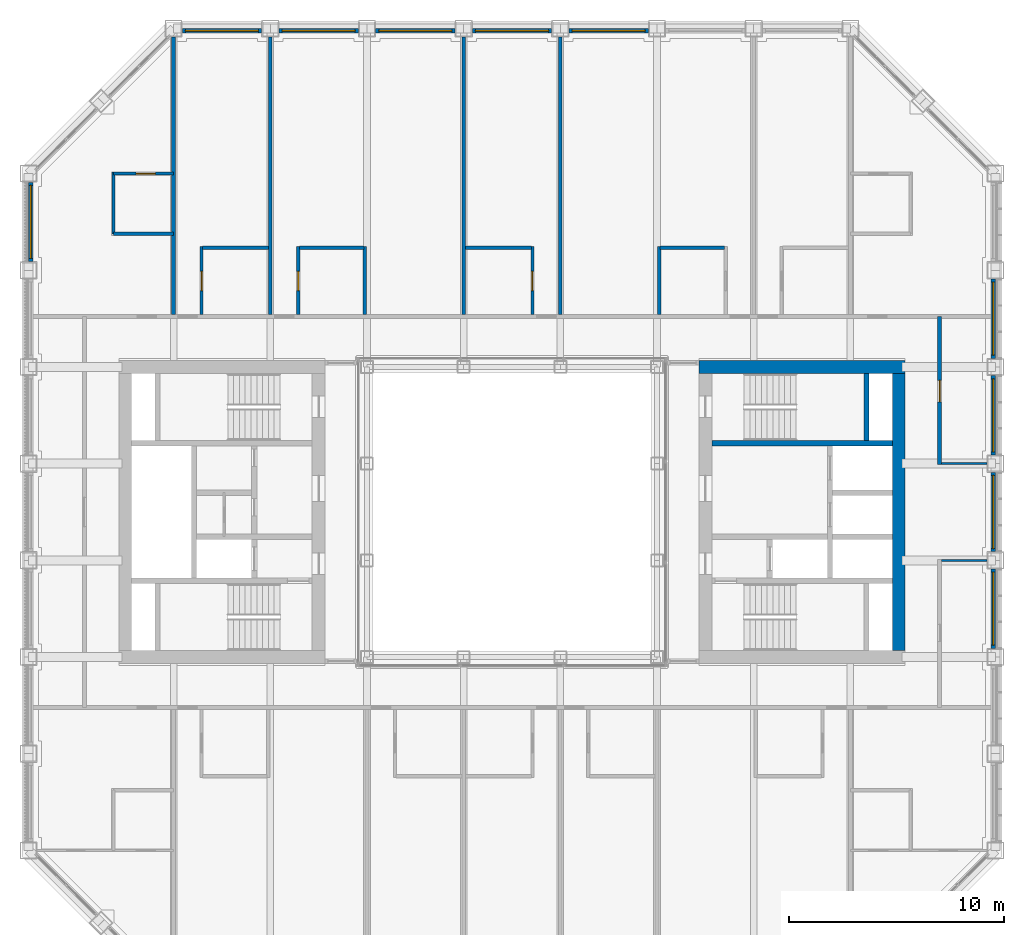
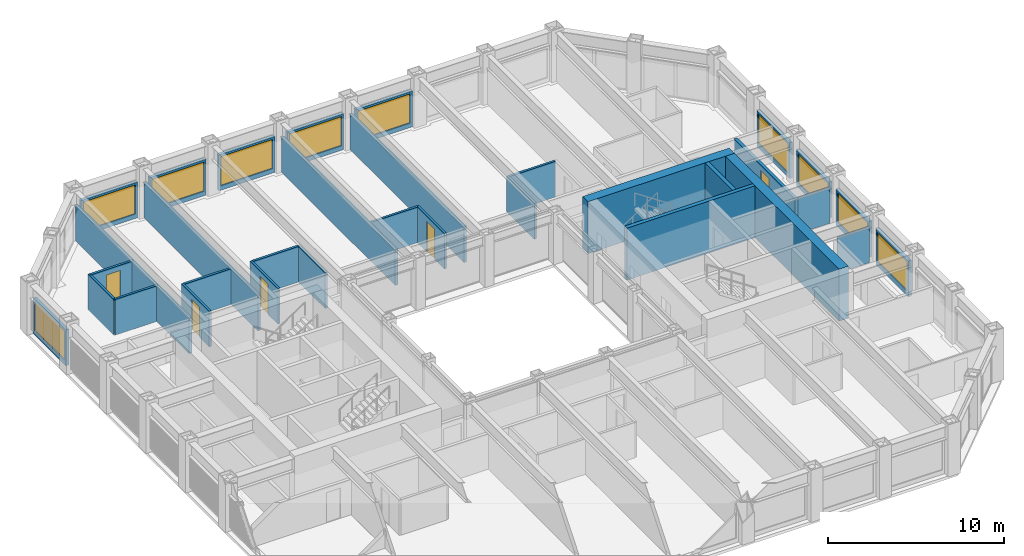
# One storey, part 13 of 17: 33 walls, 10 windows, 5 doors, 15 openings.
"""IFC4 building model written with IfcOpenShell, lengths in metres."""

from ifc_helpers import new_model, si_unit, direction, frame, frame_2d, origin, place, context, subcontext, project, spatial, rectangle, extrude, material, layer, layer_set, type_object, element, fill, save


model = new_model("IFC4")

# Units and contexts
model_context = context("Model", 3, precision=1e-05, world=origin(), true_north=direction((0.0, 1.0)))
body_context = subcontext(model_context, "Body", "Model", "MODEL_VIEW")
ifc_project = project(units=[si_unit("LENGTHUNIT", "METRE"), si_unit("AREAUNIT", "SQUARE_METRE"), si_unit("VOLUMEUNIT", "CUBIC_METRE"), si_unit("PLANEANGLEUNIT", "RADIAN"), si_unit("MASSUNIT", "GRAM", prefix="KILO")], contexts=[model_context])

# Site, building, storey
site_placement = place(None, origin())
site = spatial("IfcSite", under=ifc_project, at=site_placement, CompositionType="ELEMENT")
building_placement = place(site_placement, origin())
building = spatial("IfcBuilding", under=site, at=building_placement, Name="Msasa Ring Tower", CompositionType="ELEMENT")
storey_placement = place(building_placement, frame((0.0, 0.0, 150.800048828125)))
storey = spatial("IfcBuildingStorey", under=building, at=storey_placement, Name="L39", CompositionType="ELEMENT", Elevation=150.800048828125)

# Walls
ifc_material_1 = material(Name="Concrete C60/75", Category="concrete")
ifc_layer_1 = layer(ifc_material_1, 0.60009765625)
ifc_layer_set_1 = layer_set([ifc_layer_1], Name="CW2 CORE WALL 600")
wall_type_1 = type_object("IfcWallType", Name="CW2 CORE WALL 600", PredefinedType="SHEAR", material=ifc_layer_set_1)
wall_1_placement = place(storey_placement, frame((8.699951171875, 6.75, 0.0), z_axis=(0.0, 0.0, 1.0), x_axis=(1.0, 0.0, 0.0)))
element("IfcWall", 1, at=wall_1_placement, inside=storey, type_object=wall_type_1, Name="E core wall N L39", PredefinedType="SHEAR", context=body_context, shape_type="SweptSolid", body=[
    extrude(rectangle(XDim=9.60009765625, YDim=0.60009765625, at=frame_2d((4.800048828125, 0.0))), origin(), (0.0, 0.0, 1.0), 3.599853515625),
])
wall_2_placement = place(storey_placement, frame((18.0, -6.449951171875, 0.0), z_axis=(0.0, 0.0, 1.0), x_axis=(0.0, 1.0, 0.0)))
element("IfcWall", 2, at=wall_2_placement, inside=storey, type_object=wall_type_1, Name="E core wall E L39", PredefinedType="SHEAR", context=body_context, shape_type="SweptSolid", body=[
    extrude(rectangle(XDim=12.89990234375, YDim=0.60009765625, at=frame_2d((6.449951171875, 0.0))), origin(), (0.0, 0.0, 1.0), 3.599853515625),
])
ifc_material_2 = material(Name="Concrete C60/75", Category="concrete")
ifc_layer_2 = layer(ifc_material_2, 0.25)
ifc_layer_set_2 = layer_set([ifc_layer_2], Name="CW4 CORE INNER WALL 250")
wall_type_2 = type_object("IfcWallType", Name="CW4 CORE INNER WALL 250", PredefinedType="SHEAR", material=ifc_layer_set_2)
wall_3_placement = place(storey_placement, frame((9.300048828125, 3.199951171875, 0.0), z_axis=(0.0, 0.0, 1.0), x_axis=(1.0, 0.0, 0.0)))
element("IfcWall", 3, at=wall_3_placement, inside=storey, type_object=wall_type_2, Name="E core wall STAIRB L39", PredefinedType="SHEAR", context=body_context, shape_type="SweptSolid", body=[
    extrude(rectangle(XDim=8.39990234375, YDim=0.25, at=frame_2d((4.199951171875, 0.0))), origin(), (0.0, 0.0, 1.0), 3.599853515625),
])
wall_4_placement = place(storey_placement, frame((16.5, 3.324951171875, 0.0), z_axis=(0.0, 0.0, 1.0), x_axis=(0.0, 1.0, 0.0)))
element("IfcWall", 4, at=wall_4_placement, inside=storey, type_object=wall_type_2, Name="E core wall RISERB L39", PredefinedType="SHEAR", context=body_context, shape_type="SweptSolid", body=[
    extrude(rectangle(XDim=3.125, YDim=0.25, at=frame_2d((1.5625, 0.0))), origin(), (0.0, 0.0, 1.0), 3.599853515625),
])

# Wall, opening, window
ifc_material_3 = material(Name="Terracotta rainscreen on blockwork", Category="masonry")
ifc_layer_3 = layer(ifc_material_3, 0.199951171875)
ifc_layer_set_3 = layer_set([ifc_layer_3], Name="FW1 TERRACOTTA-LINED INFILL BAY WALL 200")
wall_type_3 = type_object("IfcWallType", Name="FW1 TERRACOTTA-LINED INFILL BAY WALL 200", PredefinedType="SOLIDWALL", material=ifc_layer_set_3)
wall_5_placement = place(storey_placement, frame((22.39990234375, -6.344970703125, 0.0), z_axis=(0.0, 0.0, 1.0), x_axis=(0.0, 1.0, 0.0)))
wall_5 = element("IfcWall", 5, at=wall_5_placement, inside=storey, type_object=wall_type_3, Name="Infill bay wall E L39 11", PredefinedType="SOLIDWALL", context=body_context, shape_type="SweptSolid", body=[
    extrude(rectangle(XDim=3.68994140625, YDim=0.199951171875, at=frame_2d((1.844970703125, 0.0))), origin(), (0.0, 0.0, 1.0), 2.47900390625),
])
opening_1_placement = place(wall_5_placement, frame((0.14501953125, 0.0, 0.300048828125)))
opening_1 = element("IfcOpeningElement", 6, at=opening_1_placement, cuts=wall_5, Name="Opening WN2", PredefinedType="OPENING", context=body_context, shape_type="SweptSolid", body=[
    extrude(rectangle(XDim=3.39990234375, YDim=2.029052734375, at=frame_2d((1.699951171875, 1.0146484375))), frame((0.0, 0.10986328125, 0.0), z_axis=(0.0, -1.0, 0.0), x_axis=(1.0, 0.0, 0.0)), (0.0, 0.0, 1.0), 0.219970703125),
])
ifc_material_4 = material(Name="Aluminium frame with clear glass", Category="aluminium")
window_type = type_object("IfcWindowType", Name="WN2 GUEST ROOM WINDOW 3400x2029", PartitioningType="SINGLE_PANEL", PredefinedType="WINDOW", material=ifc_material_4)
window_1_placement = place(opening_1_placement, origin())
window_1 = element("IfcWindow", 7, at=window_1_placement, inside=storey, type_object=window_type, Name="Window E L39 11", OverallHeight=2.029052734375, OverallWidth=3.39990234375, PartitioningType="SINGLE_PANEL", PredefinedType="WINDOW", context=body_context, shape_type="SweptSolid", body=[
    extrude(rectangle(XDim=3.39990234375, YDim=2.029052734375, at=frame_2d((1.699951171875, 1.0146484375))), frame((0.0, 0.030029296875, 0.0), z_axis=(0.0, -1.0, 0.0), x_axis=(1.0, 0.0, 0.0)), (0.0, 0.0, 1.0), 0.06005859375),
])
fill(opening_1, window_1)

wall_6_placement = place(storey_placement, frame((22.39990234375, -1.844970703125, 0.0), z_axis=(0.0, 0.0, 1.0), x_axis=(0.0, 1.0, 0.0)))
wall_6 = element("IfcWall", 8, at=wall_6_placement, inside=storey, type_object=wall_type_3, Name="Infill bay wall E L39 12", PredefinedType="SOLIDWALL", context=body_context, shape_type="SweptSolid", body=[
    extrude(rectangle(XDim=3.68994140625, YDim=0.199951171875, at=frame_2d((1.844970703125, 0.0))), origin(), (0.0, 0.0, 1.0), 2.47900390625),
])
opening_2_placement = place(wall_6_placement, frame((0.14501953125, 0.0, 0.300048828125)))
opening_2 = element("IfcOpeningElement", 9, at=opening_2_placement, cuts=wall_6, Name="Opening WN2", PredefinedType="OPENING", context=body_context, shape_type="SweptSolid", body=[
    extrude(rectangle(XDim=3.39990234375, YDim=2.029052734375, at=frame_2d((1.699951171875, 1.0146484375))), frame((0.0, 0.10986328125, 0.0), z_axis=(0.0, -1.0, 0.0), x_axis=(1.0, 0.0, 0.0)), (0.0, 0.0, 1.0), 0.219970703125),
])
window_2_placement = place(opening_2_placement, origin())
window_2 = element("IfcWindow", 10, at=window_2_placement, inside=storey, type_object=window_type, Name="Window E L39 12", OverallHeight=2.029052734375, OverallWidth=3.39990234375, PartitioningType="SINGLE_PANEL", PredefinedType="WINDOW", context=body_context, shape_type="SweptSolid", body=[
    extrude(rectangle(XDim=3.39990234375, YDim=2.029052734375, at=frame_2d((1.699951171875, 1.0146484375))), frame((0.0, 0.030029296875, 0.0), z_axis=(0.0, -1.0, 0.0), x_axis=(1.0, 0.0, 0.0)), (0.0, 0.0, 1.0), 0.06005859375),
])
fill(opening_2, window_2)

wall_7_placement = place(storey_placement, frame((22.39990234375, 2.655029296875, 0.0), z_axis=(0.0, 0.0, 1.0), x_axis=(0.0, 1.0, 0.0)))
wall_7 = element("IfcWall", 11, at=wall_7_placement, inside=storey, type_object=wall_type_3, Name="Infill bay wall E L39 13", PredefinedType="SOLIDWALL", context=body_context, shape_type="SweptSolid", body=[
    extrude(rectangle(XDim=3.68994140625, YDim=0.199951171875, at=frame_2d((1.844970703125, 0.0))), origin(), (0.0, 0.0, 1.0), 2.47900390625),
])
opening_3_placement = place(wall_7_placement, frame((0.14501953125, 0.0, 0.300048828125)))
opening_3 = element("IfcOpeningElement", 12, at=opening_3_placement, cuts=wall_7, Name="Opening WN2", PredefinedType="OPENING", context=body_context, shape_type="SweptSolid", body=[
    extrude(rectangle(XDim=3.39990234375, YDim=2.029052734375, at=frame_2d((1.699951171875, 1.0146484375))), frame((0.0, 0.10986328125, 0.0), z_axis=(0.0, -1.0, 0.0), x_axis=(1.0, 0.0, 0.0)), (0.0, 0.0, 1.0), 0.219970703125),
])
window_3_placement = place(opening_3_placement, origin())
window_3 = element("IfcWindow", 13, at=window_3_placement, inside=storey, type_object=window_type, Name="Window E L39 13", OverallHeight=2.029052734375, OverallWidth=3.39990234375, PartitioningType="SINGLE_PANEL", PredefinedType="WINDOW", context=body_context, shape_type="SweptSolid", body=[
    extrude(rectangle(XDim=3.39990234375, YDim=2.029052734375, at=frame_2d((1.699951171875, 1.0146484375))), frame((0.0, 0.030029296875, 0.0), z_axis=(0.0, -1.0, 0.0), x_axis=(1.0, 0.0, 0.0)), (0.0, 0.0, 1.0), 0.06005859375),
])
fill(opening_3, window_3)

wall_8_placement = place(storey_placement, frame((22.39990234375, 7.155029296875, 0.0), z_axis=(0.0, 0.0, 1.0), x_axis=(0.0, 1.0, 0.0)))
wall_8 = element("IfcWall", 14, at=wall_8_placement, inside=storey, type_object=wall_type_3, Name="Infill bay wall E L39 14", PredefinedType="SOLIDWALL", context=body_context, shape_type="SweptSolid", body=[
    extrude(rectangle(XDim=3.68994140625, YDim=0.199951171875, at=frame_2d((1.844970703125, 0.0))), origin(), (0.0, 0.0, 1.0), 2.47900390625),
])
opening_4_placement = place(wall_8_placement, frame((0.14501953125, 0.0, 0.300048828125)))
opening_4 = element("IfcOpeningElement", 15, at=opening_4_placement, cuts=wall_8, Name="Opening WN2", PredefinedType="OPENING", context=body_context, shape_type="SweptSolid", body=[
    extrude(rectangle(XDim=3.39990234375, YDim=2.029052734375, at=frame_2d((1.699951171875, 1.0146484375))), frame((0.0, 0.10986328125, 0.0), z_axis=(0.0, -1.0, 0.0), x_axis=(1.0, 0.0, 0.0)), (0.0, 0.0, 1.0), 0.219970703125),
])
window_4_placement = place(opening_4_placement, origin())
window_4 = element("IfcWindow", 16, at=window_4_placement, inside=storey, type_object=window_type, Name="Window E L39 14", OverallHeight=2.029052734375, OverallWidth=3.39990234375, PartitioningType="SINGLE_PANEL", PredefinedType="WINDOW", context=body_context, shape_type="SweptSolid", body=[
    extrude(rectangle(XDim=3.39990234375, YDim=2.029052734375, at=frame_2d((1.699951171875, 1.0146484375))), frame((0.0, 0.030029296875, 0.0), z_axis=(0.0, -1.0, 0.0), x_axis=(1.0, 0.0, 0.0)), (0.0, 0.0, 1.0), 0.06005859375),
])
fill(opening_4, window_4)

wall_9_placement = place(storey_placement, frame((-15.344970703125, 22.39990234375, 0.0), z_axis=(0.0, 0.0, 1.0), x_axis=(1.0, 0.0, 0.0)))
wall_9 = element("IfcWall", 17, at=wall_9_placement, inside=storey, type_object=wall_type_3, Name="Infill bay wall N L39 18", PredefinedType="SOLIDWALL", context=body_context, shape_type="SweptSolid", body=[
    extrude(rectangle(XDim=3.68994140625, YDim=0.199951171875, at=frame_2d((1.844970703125, 0.0))), origin(), (0.0, 0.0, 1.0), 2.47900390625),
])
opening_5_placement = place(wall_9_placement, frame((0.14501953125, 0.0, 0.300048828125)))
opening_5 = element("IfcOpeningElement", 18, at=opening_5_placement, cuts=wall_9, Name="Opening WN2", PredefinedType="OPENING", context=body_context, shape_type="SweptSolid", body=[
    extrude(rectangle(XDim=3.39990234375, YDim=2.029052734375, at=frame_2d((1.699951171875, 1.0146484375))), frame((0.0, 0.10986328125, 0.0), z_axis=(0.0, -1.0, 0.0), x_axis=(1.0, 0.0, 0.0)), (0.0, 0.0, 1.0), 0.219970703125),
])
window_5_placement = place(opening_5_placement, origin())
window_5 = element("IfcWindow", 19, at=window_5_placement, inside=storey, type_object=window_type, Name="Window N L39 18", OverallHeight=2.029052734375, OverallWidth=3.39990234375, PartitioningType="SINGLE_PANEL", PredefinedType="WINDOW", context=body_context, shape_type="SweptSolid", body=[
    extrude(rectangle(XDim=3.39990234375, YDim=2.029052734375, at=frame_2d((1.699951171875, 1.0146484375))), frame((0.0, 0.030029296875, 0.0), z_axis=(0.0, -1.0, 0.0), x_axis=(1.0, 0.0, 0.0)), (0.0, 0.0, 1.0), 0.06005859375),
])
fill(opening_5, window_5)

wall_10_placement = place(storey_placement, frame((-10.844970703125, 22.39990234375, 0.0), z_axis=(0.0, 0.0, 1.0), x_axis=(1.0, 0.0, 0.0)))
wall_10 = element("IfcWall", 20, at=wall_10_placement, inside=storey, type_object=wall_type_3, Name="Infill bay wall N L39 19", PredefinedType="SOLIDWALL", context=body_context, shape_type="SweptSolid", body=[
    extrude(rectangle(XDim=3.68994140625, YDim=0.199951171875, at=frame_2d((1.844970703125, 0.0))), origin(), (0.0, 0.0, 1.0), 2.47900390625),
])
opening_6_placement = place(wall_10_placement, frame((0.14501953125, 0.0, 0.300048828125)))
opening_6 = element("IfcOpeningElement", 21, at=opening_6_placement, cuts=wall_10, Name="Opening WN2", PredefinedType="OPENING", context=body_context, shape_type="SweptSolid", body=[
    extrude(rectangle(XDim=3.39990234375, YDim=2.029052734375, at=frame_2d((1.699951171875, 1.0146484375))), frame((0.0, 0.10986328125, 0.0), z_axis=(0.0, -1.0, 0.0), x_axis=(1.0, 0.0, 0.0)), (0.0, 0.0, 1.0), 0.219970703125),
])
window_6_placement = place(opening_6_placement, origin())
window_6 = element("IfcWindow", 22, at=window_6_placement, inside=storey, type_object=window_type, Name="Window N L39 19", OverallHeight=2.029052734375, OverallWidth=3.39990234375, PartitioningType="SINGLE_PANEL", PredefinedType="WINDOW", context=body_context, shape_type="SweptSolid", body=[
    extrude(rectangle(XDim=3.39990234375, YDim=2.029052734375, at=frame_2d((1.699951171875, 1.0146484375))), frame((0.0, 0.030029296875, 0.0), z_axis=(0.0, -1.0, 0.0), x_axis=(1.0, 0.0, 0.0)), (0.0, 0.0, 1.0), 0.06005859375),
])
fill(opening_6, window_6)

wall_11_placement = place(storey_placement, frame((-6.344970703125, 22.39990234375, 0.0), z_axis=(0.0, 0.0, 1.0), x_axis=(1.0, 0.0, 0.0)))
wall_11 = element("IfcWall", 23, at=wall_11_placement, inside=storey, type_object=wall_type_3, Name="Infill bay wall N L39 20", PredefinedType="SOLIDWALL", context=body_context, shape_type="SweptSolid", body=[
    extrude(rectangle(XDim=3.68994140625, YDim=0.199951171875, at=frame_2d((1.844970703125, 0.0))), origin(), (0.0, 0.0, 1.0), 2.47900390625),
])
opening_7_placement = place(wall_11_placement, frame((0.14501953125, 0.0, 0.300048828125)))
opening_7 = element("IfcOpeningElement", 24, at=opening_7_placement, cuts=wall_11, Name="Opening WN2", PredefinedType="OPENING", context=body_context, shape_type="SweptSolid", body=[
    extrude(rectangle(XDim=3.39990234375, YDim=2.029052734375, at=frame_2d((1.699951171875, 1.0146484375))), frame((0.0, 0.10986328125, 0.0), z_axis=(0.0, -1.0, 0.0), x_axis=(1.0, 0.0, 0.0)), (0.0, 0.0, 1.0), 0.219970703125),
])
window_7_placement = place(opening_7_placement, origin())
window_7 = element("IfcWindow", 25, at=window_7_placement, inside=storey, type_object=window_type, Name="Window N L39 20", OverallHeight=2.029052734375, OverallWidth=3.39990234375, PartitioningType="SINGLE_PANEL", PredefinedType="WINDOW", context=body_context, shape_type="SweptSolid", body=[
    extrude(rectangle(XDim=3.39990234375, YDim=2.029052734375, at=frame_2d((1.699951171875, 1.0146484375))), frame((0.0, 0.030029296875, 0.0), z_axis=(0.0, -1.0, 0.0), x_axis=(1.0, 0.0, 0.0)), (0.0, 0.0, 1.0), 0.06005859375),
])
fill(opening_7, window_7)

wall_12_placement = place(storey_placement, frame((-1.844970703125, 22.39990234375, 0.0), z_axis=(0.0, 0.0, 1.0), x_axis=(1.0, 0.0, 0.0)))
wall_12 = element("IfcWall", 26, at=wall_12_placement, inside=storey, type_object=wall_type_3, Name="Infill bay wall N L39 21", PredefinedType="SOLIDWALL", context=body_context, shape_type="SweptSolid", body=[
    extrude(rectangle(XDim=3.68994140625, YDim=0.199951171875, at=frame_2d((1.844970703125, 0.0))), origin(), (0.0, 0.0, 1.0), 2.47900390625),
])
opening_8_placement = place(wall_12_placement, frame((0.14501953125, 0.0, 0.300048828125)))
opening_8 = element("IfcOpeningElement", 27, at=opening_8_placement, cuts=wall_12, Name="Opening WN2", PredefinedType="OPENING", context=body_context, shape_type="SweptSolid", body=[
    extrude(rectangle(XDim=3.39990234375, YDim=2.029052734375, at=frame_2d((1.699951171875, 1.0146484375))), frame((0.0, 0.10986328125, 0.0), z_axis=(0.0, -1.0, 0.0), x_axis=(1.0, 0.0, 0.0)), (0.0, 0.0, 1.0), 0.219970703125),
])
window_8_placement = place(opening_8_placement, origin())
window_8 = element("IfcWindow", 28, at=window_8_placement, inside=storey, type_object=window_type, Name="Window N L39 21", OverallHeight=2.029052734375, OverallWidth=3.39990234375, PartitioningType="SINGLE_PANEL", PredefinedType="WINDOW", context=body_context, shape_type="SweptSolid", body=[
    extrude(rectangle(XDim=3.39990234375, YDim=2.029052734375, at=frame_2d((1.699951171875, 1.0146484375))), frame((0.0, 0.030029296875, 0.0), z_axis=(0.0, -1.0, 0.0), x_axis=(1.0, 0.0, 0.0)), (0.0, 0.0, 1.0), 0.06005859375),
])
fill(opening_8, window_8)

wall_13_placement = place(storey_placement, frame((2.655029296875, 22.39990234375, 0.0), z_axis=(0.0, 0.0, 1.0), x_axis=(1.0, 0.0, 0.0)))
wall_13 = element("IfcWall", 29, at=wall_13_placement, inside=storey, type_object=wall_type_3, Name="Infill bay wall N L39 22", PredefinedType="SOLIDWALL", context=body_context, shape_type="SweptSolid", body=[
    extrude(rectangle(XDim=3.68994140625, YDim=0.199951171875, at=frame_2d((1.844970703125, 0.0))), origin(), (0.0, 0.0, 1.0), 2.47900390625),
])
opening_9_placement = place(wall_13_placement, frame((0.14501953125, 0.0, 0.300048828125)))
opening_9 = element("IfcOpeningElement", 30, at=opening_9_placement, cuts=wall_13, Name="Opening WN2", PredefinedType="OPENING", context=body_context, shape_type="SweptSolid", body=[
    extrude(rectangle(XDim=3.39990234375, YDim=2.029052734375, at=frame_2d((1.699951171875, 1.0146484375))), frame((0.0, 0.10986328125, 0.0), z_axis=(0.0, -1.0, 0.0), x_axis=(1.0, 0.0, 0.0)), (0.0, 0.0, 1.0), 0.219970703125),
])
window_9_placement = place(opening_9_placement, origin())
window_9 = element("IfcWindow", 31, at=window_9_placement, inside=storey, type_object=window_type, Name="Window N L39 22", OverallHeight=2.029052734375, OverallWidth=3.39990234375, PartitioningType="SINGLE_PANEL", PredefinedType="WINDOW", context=body_context, shape_type="SweptSolid", body=[
    extrude(rectangle(XDim=3.39990234375, YDim=2.029052734375, at=frame_2d((1.699951171875, 1.0146484375))), frame((0.0, 0.030029296875, 0.0), z_axis=(0.0, -1.0, 0.0), x_axis=(1.0, 0.0, 0.0)), (0.0, 0.0, 1.0), 0.06005859375),
])
fill(opening_9, window_9)

wall_14_placement = place(storey_placement, frame((-22.39990234375, 11.655029296875, 0.0), z_axis=(0.0, 0.0, 1.0), x_axis=(0.0, 1.0, 0.0)))
wall_14 = element("IfcWall", 32, at=wall_14_placement, inside=storey, type_object=wall_type_3, Name="Infill bay wall W L39 33", PredefinedType="SOLIDWALL", context=body_context, shape_type="SweptSolid", body=[
    extrude(rectangle(XDim=3.68994140625, YDim=0.199951171875, at=frame_2d((1.844970703125, 0.0))), origin(), (0.0, 0.0, 1.0), 2.47900390625),
])
opening_10_placement = place(wall_14_placement, frame((0.14501953125, 0.0, 0.300048828125)))
opening_10 = element("IfcOpeningElement", 33, at=opening_10_placement, cuts=wall_14, Name="Opening WN2", PredefinedType="OPENING", context=body_context, shape_type="SweptSolid", body=[
    extrude(rectangle(XDim=3.39990234375, YDim=2.029052734375, at=frame_2d((1.699951171875, 1.0146484375))), frame((0.0, 0.10986328125, 0.0), z_axis=(0.0, -1.0, 0.0), x_axis=(1.0, 0.0, 0.0)), (0.0, 0.0, 1.0), 0.219970703125),
])
window_10_placement = place(opening_10_placement, origin())
window_10 = element("IfcWindow", 34, at=window_10_placement, inside=storey, type_object=window_type, Name="Window W L39 33", OverallHeight=2.029052734375, OverallWidth=3.39990234375, PartitioningType="SINGLE_PANEL", PredefinedType="WINDOW", context=body_context, shape_type="SweptSolid", body=[
    extrude(rectangle(XDim=3.39990234375, YDim=2.029052734375, at=frame_2d((1.699951171875, 1.0146484375))), frame((0.0, 0.030029296875, 0.0), z_axis=(0.0, -1.0, 0.0), x_axis=(1.0, 0.0, 0.0)), (0.0, 0.0, 1.0), 0.06005859375),
])
fill(opening_10, window_10)

# Wall, opening, door
ifc_material_5 = material(Name="Concrete blockwork", Category="masonry")
ifc_layer_4 = layer(ifc_material_5, 0.199951171875)
ifc_layer_set_4 = layer_set([ifc_layer_4], Name="PT1 CORRIDOR WALL 200")
wall_type_4 = type_object("IfcWallType", Name="PT1 CORRIDOR WALL 200", PredefinedType="PARTITIONING", material=ifc_layer_set_4)
wall_15_placement = place(storey_placement, frame((19.89990234375, 2.199951171875, 0.0), z_axis=(0.0, 0.0, 1.0), x_axis=(0.0, 1.0, 0.0)))
wall_15 = element("IfcWall", 35, at=wall_15_placement, inside=storey, type_object=wall_type_4, Name="Corridor wall L39-STREN", PredefinedType="PARTITIONING", context=body_context, shape_type="SweptSolid", body=[
    extrude(rectangle(XDim=6.900146484375, YDim=0.199951171875, at=frame_2d((3.4501953125, 0.0))), origin(), (0.0, 0.0, 1.0), 2.473388671875),
])
opening_11_placement = place(wall_15_placement, frame((2.925048828125, 0.0, 0.0)))
opening_11 = element("IfcOpeningElement", 36, at=opening_11_placement, cuts=wall_15, Name="Opening HD-017", PredefinedType="OPENING", context=body_context, shape_type="SweptSolid", body=[
    extrude(rectangle(XDim=1.0, YDim=2.10009765625, at=frame_2d((0.5, 1.050048828125))), frame((0.0, 0.10986328125, 0.0), z_axis=(0.0, -1.0, 0.0), x_axis=(1.0, 0.0, 0.0)), (0.0, 0.0, 1.0), 0.219970703125),
])
ifc_material_6 = material(Name="Timber door leaf in a steel frame", Category="steel")
door_type_1 = type_object("IfcDoorType", Name="D10 STORE DOOR 1000x2100", OperationType="SINGLE_SWING_LEFT", PredefinedType="DOOR", material=ifc_material_6)
door_1_placement = place(opening_11_placement, origin())
door_1 = element("IfcDoor", 37, at=door_1_placement, inside=storey, type_object=door_type_1, Name="Door L39-LGE", OperationType="SINGLE_SWING_LEFT", OverallHeight=2.10009765625, OverallWidth=1.0, PredefinedType="DOOR", context=body_context, shape_type="SweptSolid", body=[
    extrude(rectangle(XDim=1.0, YDim=2.10009765625, at=frame_2d((0.5, 1.050048828125))), frame((0.0, 0.02490234375, 0.0), z_axis=(0.0, -1.0, 0.0), x_axis=(1.0, 0.0, 0.0)), (0.0, 0.0, 1.0), 0.050048828125),
])
fill(opening_11, door_1)

# Walls
ifc_material_7 = material(Name="Gypsum board on steel studs", Category="steel")
ifc_layer_5 = layer(ifc_material_7, 0.10009765625)
ifc_layer_set_5 = layer_set([ifc_layer_5], Name="PT2 STUD PARTITION 100")
wall_type_5 = type_object("IfcWallType", Name="PT2 STUD PARTITION 100", PredefinedType="PARTITIONING", material=ifc_layer_set_5)
for number, where, z_axis, x_axis, name in (
    (38, (20.0, 2.25, 0.0), (0.0, 0.0, 1.0), (1.0, 0.0, 0.0), "Partition L39-ALEN"),
    (39, (20.0, -2.25, 0.0), (0.0, 0.0, 1.0), (1.0, 0.0, 0.0), "Partition L39-ALES"),
):
    element("IfcWall", number, at=place(storey_placement, frame(where, z_axis=z_axis, x_axis=x_axis)), inside=storey, type_object=wall_type_5, Name=name, PredefinedType="PARTITIONING", context=body_context, shape_type="SweptSolid", body=[
        extrude(rectangle(XDim=2.10009765625, YDim=0.10009765625, at=frame_2d((1.050048828125, 0.0))), origin(), (0.0, 0.0, 1.0), 2.473388671875),
    ])

# Wall, opening, door
ifc_material_8 = material(Name="Moisture-resistant board on steel studs with a concealed cistern and pipe void, tiled", Category="steel")
ifc_layer_6 = layer(ifc_material_8, 0.14990234375)
ifc_layer_set_6 = layer_set([ifc_layer_6], Name="PT4 BATHROOM WET WALL 150")
wall_type_6 = type_object("IfcWallType", Name="PT4 BATHROOM WET WALL 150", PredefinedType="PARTITIONING", material=ifc_layer_set_6)
wall_16_placement = place(storey_placement, frame((-14.449951171875, 9.199951171875, 0.0), z_axis=(0.0, 0.0, 1.0), x_axis=(0.0, 1.0, 0.0)))
wall_16 = element("IfcWall", 40, at=wall_16_placement, inside=storey, type_object=wall_type_6, Name="Partition L39-GN00BX", PredefinedType="PARTITIONING", context=body_context, shape_type="SweptSolid", body=[
    extrude(rectangle(XDim=3.150146484375, YDim=0.14990234375, at=frame_2d((1.5751953125, 0.0))), origin(), (0.0, 0.0, 1.0), 2.473388671875),
])
opening_12_placement = place(wall_16_placement, frame((1.10009765625, 0.0, 0.0)))
opening_12 = element("IfcOpeningElement", 41, at=opening_12_placement, cuts=wall_16, Name="Opening HD-003", PredefinedType="OPENING", context=body_context, shape_type="SweptSolid", body=[
    extrude(rectangle(XDim=0.89990234375, YDim=2.10009765625, at=frame_2d((0.449951171875, 1.050048828125))), frame((0.0, 0.0849609375, 0.0), z_axis=(0.0, -1.0, 0.0), x_axis=(1.0, 0.0, 0.0)), (0.0, 0.0, 1.0), 0.169921875),
])
ifc_material_9 = material(Name="Timber door leaf in a steel frame", Category="steel")
door_type_2 = type_object("IfcDoorType", Name="D3 BATHROOM DOOR 900x2100", OperationType="SINGLE_SWING_LEFT", PredefinedType="DOOR", material=ifc_material_9)
door_2_placement = place(opening_12_placement, origin())
door_2 = element("IfcDoor", 42, at=door_2_placement, inside=storey, type_object=door_type_2, Name="Door L39-GN00B", OperationType="SINGLE_SWING_LEFT", OverallHeight=2.10009765625, OverallWidth=0.89990234375, PredefinedType="DOOR", context=body_context, shape_type="SweptSolid", body=[
    extrude(rectangle(XDim=0.89990234375, YDim=2.10009765625, at=frame_2d((0.449951171875, 1.050048828125))), frame((0.0, 0.02490234375, 0.0), z_axis=(0.0, -1.0, 0.0), x_axis=(1.0, 0.0, 0.0)), (0.0, 0.0, 1.0), 0.050048828125),
])
fill(opening_12, door_2)

# Wall
wall_17_placement = place(storey_placement, frame((-14.39990234375, 12.300048828125, 0.0), z_axis=(0.0, 0.0, 1.0), x_axis=(1.0, 0.0, 0.0)))
element("IfcWall", 43, at=wall_17_placement, inside=storey, type_object=wall_type_6, Name="Partition L39-GN00BY", PredefinedType="PARTITIONING", context=body_context, shape_type="SweptSolid", body=[
    extrude(rectangle(XDim=3.0625, YDim=0.14990234375, at=frame_2d((1.53125, 0.0))), origin(), (0.0, 0.0, 1.0), 2.473388671875),
])

# Wall, opening, door
wall_18_placement = place(storey_placement, frame((-9.949951171875, 9.199951171875, 0.0), z_axis=(0.0, 0.0, 1.0), x_axis=(0.0, 1.0, 0.0)))
wall_18 = element("IfcWall", 44, at=wall_18_placement, inside=storey, type_object=wall_type_6, Name="Partition L39-GN01BX", PredefinedType="PARTITIONING", context=body_context, shape_type="SweptSolid", body=[
    extrude(rectangle(XDim=3.150146484375, YDim=0.14990234375, at=frame_2d((1.5751953125, 0.0))), origin(), (0.0, 0.0, 1.0), 2.473388671875),
])
opening_13_placement = place(wall_18_placement, frame((1.10009765625, 0.0, 0.0)))
opening_13 = element("IfcOpeningElement", 45, at=opening_13_placement, cuts=wall_18, Name="Opening HD-004", PredefinedType="OPENING", context=body_context, shape_type="SweptSolid", body=[
    extrude(rectangle(XDim=0.89990234375, YDim=2.10009765625, at=frame_2d((0.449951171875, 1.050048828125))), frame((0.0, 0.0849609375, 0.0), z_axis=(0.0, -1.0, 0.0), x_axis=(1.0, 0.0, 0.0)), (0.0, 0.0, 1.0), 0.169921875),
])
door_3_placement = place(opening_13_placement, origin())
door_3 = element("IfcDoor", 46, at=door_3_placement, inside=storey, type_object=door_type_2, Name="Door L39-GN01B", OperationType="SINGLE_SWING_LEFT", OverallHeight=2.10009765625, OverallWidth=0.89990234375, PredefinedType="DOOR", context=body_context, shape_type="SweptSolid", body=[
    extrude(rectangle(XDim=0.89990234375, YDim=2.10009765625, at=frame_2d((0.449951171875, 1.050048828125))), frame((0.0, 0.02490234375, 0.0), z_axis=(0.0, -1.0, 0.0), x_axis=(1.0, 0.0, 0.0)), (0.0, 0.0, 1.0), 0.050048828125),
])
fill(opening_13, door_3)

# Walls
wall_19_placement = place(storey_placement, frame((-6.85009765625, 9.199951171875, 0.0), z_axis=(0.0, 0.0, 1.0), x_axis=(0.0, 1.0, 0.0)))
element("IfcWall", 47, at=wall_19_placement, inside=storey, type_object=wall_type_6, Name="Partition L39-GN01BF", PredefinedType="PARTITIONING", context=body_context, shape_type="SweptSolid", body=[
    extrude(rectangle(XDim=3.150146484375, YDim=0.14990234375, at=frame_2d((1.5751953125, 0.0))), origin(), (0.0, 0.0, 1.0), 2.473388671875),
])
wall_20_placement = place(storey_placement, frame((-9.89990234375, 12.300048828125, 0.0), z_axis=(0.0, 0.0, 1.0), x_axis=(1.0, 0.0, 0.0)))
element("IfcWall", 48, at=wall_20_placement, inside=storey, type_object=wall_type_6, Name="Partition L39-GN01BY", PredefinedType="PARTITIONING", context=body_context, shape_type="SweptSolid", body=[
    extrude(rectangle(XDim=3.0, YDim=0.14990234375, at=frame_2d((1.5, 0.0))), origin(), (0.0, 0.0, 1.0), 2.473388671875),
])

# Wall, opening, door
wall_21_placement = place(storey_placement, frame((0.949951171875, 9.199951171875, 0.0), z_axis=(0.0, 0.0, 1.0), x_axis=(0.0, 1.0, 0.0)))
wall_21 = element("IfcWall", 49, at=wall_21_placement, inside=storey, type_object=wall_type_6, Name="Partition L39-GN02BX", PredefinedType="PARTITIONING", context=body_context, shape_type="SweptSolid", body=[
    extrude(rectangle(XDim=3.150146484375, YDim=0.14990234375, at=frame_2d((1.5751953125, 0.0))), origin(), (0.0, 0.0, 1.0), 2.473388671875),
])
opening_14_placement = place(wall_21_placement, frame((1.10009765625, 0.0, 0.0)))
opening_14 = element("IfcOpeningElement", 50, at=opening_14_placement, cuts=wall_21, Name="Opening HD-005", PredefinedType="OPENING", context=body_context, shape_type="SweptSolid", body=[
    extrude(rectangle(XDim=0.89990234375, YDim=2.10009765625, at=frame_2d((0.449951171875, 1.050048828125))), frame((0.0, 0.0849609375, 0.0), z_axis=(0.0, -1.0, 0.0), x_axis=(1.0, 0.0, 0.0)), (0.0, 0.0, 1.0), 0.169921875),
])
door_4_placement = place(opening_14_placement, origin())
door_4 = element("IfcDoor", 51, at=door_4_placement, inside=storey, type_object=door_type_2, Name="Door L39-GN02B", OperationType="SINGLE_SWING_LEFT", OverallHeight=2.10009765625, OverallWidth=0.89990234375, PredefinedType="DOOR", context=body_context, shape_type="SweptSolid", body=[
    extrude(rectangle(XDim=0.89990234375, YDim=2.10009765625, at=frame_2d((0.449951171875, 1.050048828125))), frame((0.0, 0.02490234375, 0.0), z_axis=(0.0, -1.0, 0.0), x_axis=(1.0, 0.0, 0.0)), (0.0, 0.0, 1.0), 0.050048828125),
])
fill(opening_14, door_4)

# Walls
wall_22_placement = place(storey_placement, frame((-2.16259765625, 12.300048828125, 0.0), z_axis=(0.0, 0.0, 1.0), x_axis=(1.0, 0.0, 0.0)))
element("IfcWall", 52, at=wall_22_placement, inside=storey, type_object=wall_type_6, Name="Partition L39-GN02BY", PredefinedType="PARTITIONING", context=body_context, shape_type="SweptSolid", body=[
    extrude(rectangle(XDim=3.0625, YDim=0.14990234375, at=frame_2d((1.53125, 0.0))), origin(), (0.0, 0.0, 1.0), 2.473388671875),
])
wall_23_placement = place(storey_placement, frame((6.85009765625, 9.199951171875, 0.0), z_axis=(0.0, 0.0, 1.0), x_axis=(0.0, 1.0, 0.0)))
element("IfcWall", 53, at=wall_23_placement, inside=storey, type_object=wall_type_6, Name="Partition L39-GN03BF", PredefinedType="PARTITIONING", context=body_context, shape_type="SweptSolid", body=[
    extrude(rectangle(XDim=3.150146484375, YDim=0.14990234375, at=frame_2d((1.5751953125, 0.0))), origin(), (0.0, 0.0, 1.0), 2.473388671875),
])
wall_24_placement = place(storey_placement, frame((6.89990234375, 12.300048828125, 0.0), z_axis=(0.0, 0.0, 1.0), x_axis=(1.0, 0.0, 0.0)))
element("IfcWall", 54, at=wall_24_placement, inside=storey, type_object=wall_type_6, Name="Partition L39-GN03BY", PredefinedType="PARTITIONING", context=body_context, shape_type="SweptSolid", body=[
    extrude(rectangle(XDim=3.0, YDim=0.14990234375, at=frame_2d((1.5, 0.0))), origin(), (0.0, 0.0, 1.0), 2.473388671875),
])
wall_25_placement = place(storey_placement, frame((-18.550048828125, 12.949951171875, 0.0), z_axis=(0.0, 0.0, 1.0), x_axis=(0.0, 1.0, 0.0)))
element("IfcWall", 55, at=wall_25_placement, inside=storey, type_object=wall_type_6, Name="Partition L39-CSNWBX", PredefinedType="PARTITIONING", context=body_context, shape_type="SweptSolid", body=[
    extrude(rectangle(XDim=2.875, YDim=0.14990234375, at=frame_2d((1.4375, 0.0))), origin(), (0.0, 0.0, 1.0), 2.473388671875),
])
wall_26_placement = place(storey_placement, frame((-18.550048828125, 12.949951171875, 0.0), z_axis=(0.0, 0.0, 1.0), x_axis=(1.0, 0.0, 0.0)))
element("IfcWall", 56, at=wall_26_placement, inside=storey, type_object=wall_type_6, Name="Partition L39-CSNWBY", PredefinedType="PARTITIONING", context=body_context, shape_type="SweptSolid", body=[
    extrude(rectangle(XDim=2.800048828125, YDim=0.14990234375, at=frame_2d((1.39990234375, 0.0))), origin(), (0.0, 0.0, 1.0), 2.473388671875),
])

# Wall, opening, door
wall_27_placement = place(storey_placement, frame((-18.550048828125, 15.75, 0.0), z_axis=(0.0, 0.0, 1.0), x_axis=(1.0, 0.0, 0.0)))
wall_27 = element("IfcWall", 57, at=wall_27_placement, inside=storey, type_object=wall_type_6, Name="Partition L39-CSNWBZ", PredefinedType="PARTITIONING", context=body_context, shape_type="SweptSolid", body=[
    extrude(rectangle(XDim=2.800048828125, YDim=0.14990234375, at=frame_2d((1.39990234375, 0.0))), origin(), (0.0, 0.0, 1.0), 2.473388671875),
])
opening_15_placement = place(wall_27_placement, frame((1.050048828125, 0.0, 0.0)))
opening_15 = element("IfcOpeningElement", 58, at=opening_15_placement, cuts=wall_27, Name="Opening HD-001", PredefinedType="OPENING", context=body_context, shape_type="SweptSolid", body=[
    extrude(rectangle(XDim=0.89990234375, YDim=2.10009765625, at=frame_2d((0.449951171875, 1.050048828125))), frame((0.0, 0.0849609375, 0.0), z_axis=(0.0, -1.0, 0.0), x_axis=(1.0, 0.0, 0.0)), (0.0, 0.0, 1.0), 0.169921875),
])
door_5_placement = place(opening_15_placement, origin())
door_5 = element("IfcDoor", 59, at=door_5_placement, inside=storey, type_object=door_type_2, Name="Door L39-CSNWB1", OperationType="SINGLE_SWING_RIGHT", OverallHeight=2.10009765625, OverallWidth=0.89990234375, PredefinedType="DOOR", context=body_context, shape_type="SweptSolid", body=[
    extrude(rectangle(XDim=0.89990234375, YDim=2.10009765625, at=frame_2d((0.449951171875, 1.050048828125))), frame((0.0, 0.02490234375, 0.0), z_axis=(0.0, -1.0, 0.0), x_axis=(1.0, 0.0, 0.0)), (0.0, 0.0, 1.0), 0.050048828125),
])
fill(opening_15, door_5)

# Walls
ifc_material_10 = material(Name="Twin steel studs, two layers of acoustic board each face, mineral wool", Category="steel")
ifc_layer_7 = layer(ifc_material_10, 0.175048828125)
ifc_layer_set_7 = layer_set([ifc_layer_7], Name="PT5 GUEST ROOM SEPARATING WALL 175")
wall_type_7 = type_object("IfcWallType", Name="PT5 GUEST ROOM SEPARATING WALL 175", PredefinedType="PARTITIONING", material=ifc_layer_set_7)
for number, where, z_axis, x_axis, name in (
    (60, (-15.75, 9.199951171875, 0.0), (0.0, 0.0, 1.0), (0.0, 1.0, 0.0), "Partition L39-PWN-15.75"),
    (61, (-11.25, 9.199951171875, 0.0), (0.0, 0.0, 1.0), (0.0, 1.0, 0.0), "Partition L39-PWN-11.25"),
    (62, (-2.25, 9.199951171875, 0.0), (0.0, 0.0, 1.0), (0.0, 1.0, 0.0), "Partition L39-PWN-2.25"),
    (63, (2.25, 9.199951171875, 0.0), (0.0, 0.0, 1.0), (0.0, 1.0, 0.0), "Partition L39-PWN+2.25"),
):
    element("IfcWall", number, at=place(storey_placement, frame(where, z_axis=z_axis, x_axis=x_axis)), inside=storey, type_object=wall_type_7, Name=name, PredefinedType="PARTITIONING", context=body_context, shape_type="SweptSolid", body=[
        extrude(rectangle(XDim=12.900146484375, YDim=0.175048828125, at=frame_2d((6.4501953125, 0.0))), origin(), (0.0, 0.0, 1.0), 2.473388671875),
    ])

save(model, "model.ifc")
